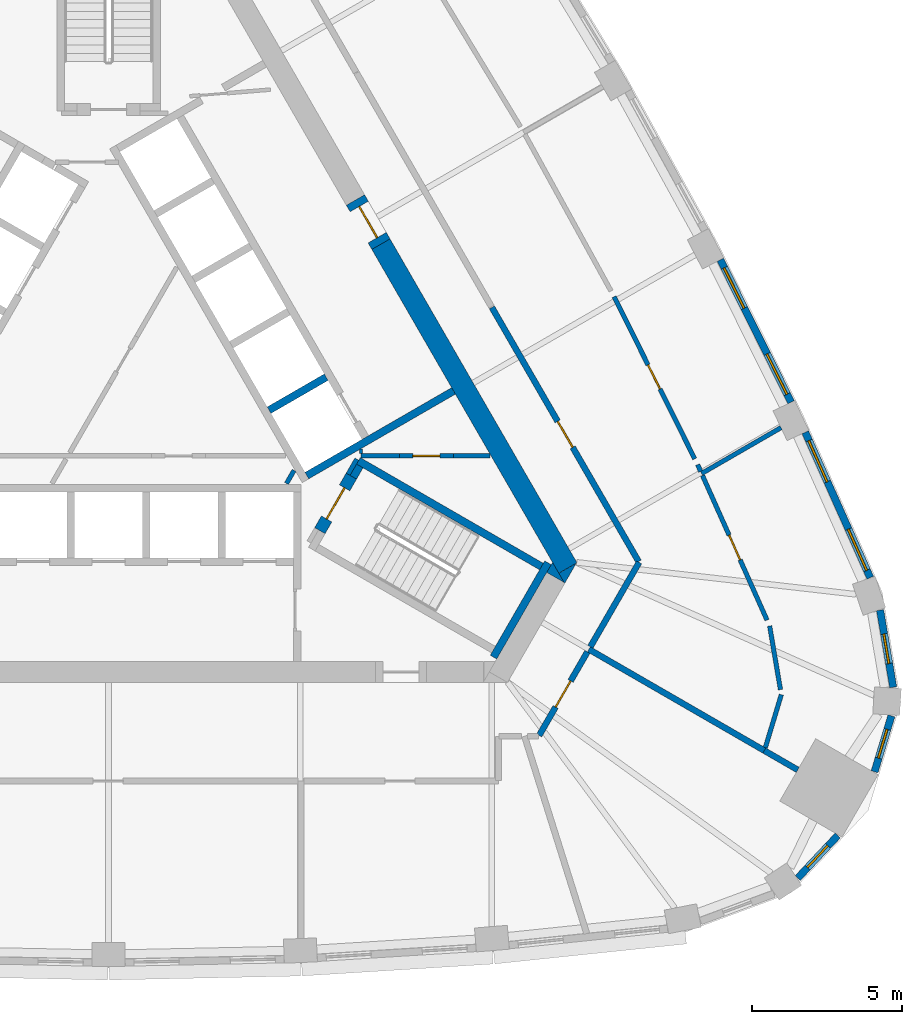
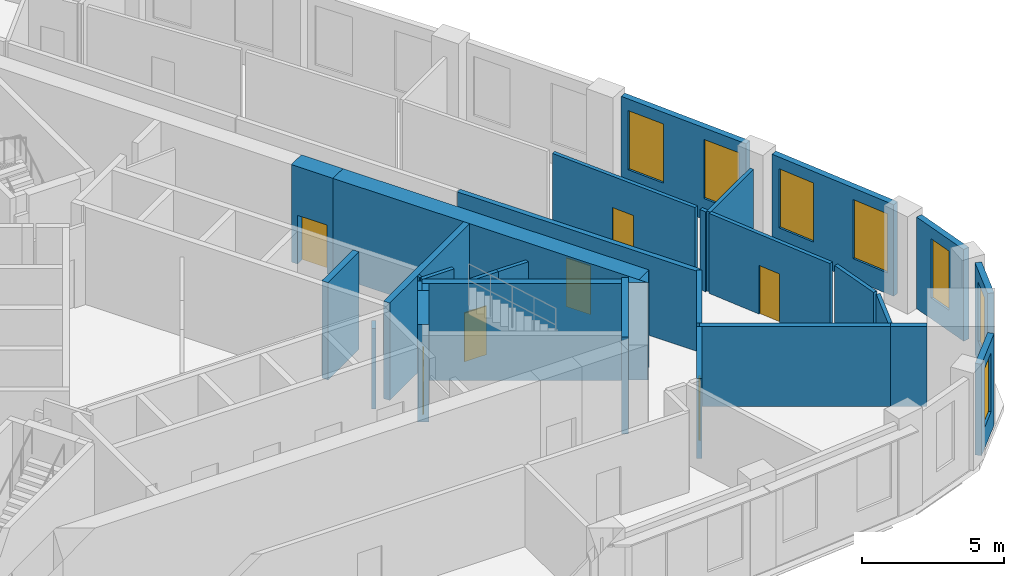
# One storey, part 7 of 11: 32 walls, 7 doors, 7 windows, 14 openings.
"""IFC4 building model written with IfcOpenShell, lengths in metres."""

from ifc_helpers import new_model, si_unit, direction, frame, frame_2d, origin, place, context, subcontext, project, spatial, polyline, rectangle, outline, extrude, material, layer, layer_set, type_object, element, fill, save


model = new_model("IFC4")

# Units and contexts
model_context = context("Model", 3, precision=1e-05, world=origin(), true_north=direction((0.0, 1.0)))
body_context = subcontext(model_context, "Body", "Model", "MODEL_VIEW")
ifc_project = project(units=[si_unit("LENGTHUNIT", "METRE"), si_unit("AREAUNIT", "SQUARE_METRE"), si_unit("VOLUMEUNIT", "CUBIC_METRE"), si_unit("PLANEANGLEUNIT", "RADIAN"), si_unit("MASSUNIT", "GRAM", prefix="KILO")], contexts=[model_context])

# Site, building, storey
site_placement = place(None, origin())
site = spatial("IfcSite", under=ifc_project, at=site_placement, CompositionType="ELEMENT")
building_placement = place(site_placement, origin())
building = spatial("IfcBuilding", under=site, at=building_placement, Name="Mestral Congress Tower", CompositionType="ELEMENT")
storey_placement = place(building_placement, frame((0.0, 0.0, 205.800048828125)))
storey = spatial("IfcBuildingStorey", under=building, at=storey_placement, Name="L48", CompositionType="ELEMENT", Elevation=205.800048828125)

# Walls
ifc_material_1 = material(Name="Fire-rated board partition")
ifc_layer_1 = layer(ifc_material_1, 0.14990234375)
ifc_layer_set_1 = layer_set([ifc_layer_1], Name="Fire-rated board partition")
wall_type_1 = type_object("IfcWallType", Name="Core partition 150", PredefinedType="PARTITIONING", material=ifc_layer_set_1)
wall_1_placement = place(storey_placement, frame((11.50048828125, -2.800537109375, 0.0), z_axis=(0.0, 0.0, 1.0), x_axis=(1.0, 0.0, 0.0)))
element("IfcWall", 1, at=wall_1_placement, inside=storey, type_object=wall_type_1, Name="L48 core wall", PredefinedType="PARTITIONING", context=body_context, shape_type="SweptSolid", body=[
    extrude(rectangle(XDim=1.22216796875, YDim=0.14990234375, at=frame_2d((0.611083984375, 0.0))), origin(), (0.0, 0.0, 1.0), 3.449951171875),
])
wall_2_placement = place(storey_placement, frame((5.935791015625, -3.718017578125, 0.0), z_axis=(0.0, 0.0, 1.0), x_axis=(0.499890179513, 0.866088799389, 0.0)))
element("IfcWall", 2, at=wall_2_placement, inside=storey, type_object=wall_type_1, Name="L48 core wall", PredefinedType="PARTITIONING", context=body_context, shape_type="SweptSolid", body=[
    extrude(rectangle(XDim=0.50390625, YDim=0.14990234375, at=frame_2d((0.251953125, 0.0))), origin(), (0.0, 0.0, 1.0), 3.449951171875),
])

# Wall, opening, door
wall_3_placement = place(storey_placement, frame((9.7001953125, -2.800048828125, 0.0), z_axis=(0.0, 0.0, 1.0), x_axis=(1.0, 0.0, 0.0)))
wall_3 = element("IfcWall", 3, at=wall_3_placement, inside=storey, type_object=wall_type_1, Name="L48 door wall", PredefinedType="PARTITIONING", context=body_context, shape_type="SweptSolid", body=[
    extrude(rectangle(XDim=1.800048828125, YDim=0.14990234375, at=frame_2d((0.89990234375, 0.0))), origin(), (0.0, 0.0, 1.0), 3.449951171875),
])
opening_1_placement = place(wall_3_placement, frame((0.449951171875, 0.0, 0.0)))
opening_1 = element("IfcOpeningElement", 4, at=opening_1_placement, cuts=wall_3, Name="Opening SD-PX10", PredefinedType="OPENING", context=body_context, shape_type="SweptSolid", body=[
    extrude(rectangle(XDim=0.89990234375, YDim=2.10009765625, at=frame_2d((0.449951171875, 1.050048828125))), frame((0.0, 0.0849609375, 0.0), z_axis=(0.0, -1.0, 0.0), x_axis=(1.0, 0.0, 0.0)), (0.0, 0.0, 1.0), 0.169921875),
])
ifc_material_2 = material(Name="Fire-rated steel door set", Category="steel")
door_type_1 = type_object("IfcDoorType", Name="Core door SR 900x2100", OperationType="SINGLE_SWING_LEFT", PredefinedType="DOOR", material=ifc_material_2)
door_1_placement = place(opening_1_placement, origin())
door_1 = element("IfcDoor", 5, at=door_1_placement, inside=storey, type_object=door_type_1, Name="Door SD-PX10", OperationType="SINGLE_SWING_LEFT", OverallHeight=2.10009765625, OverallWidth=0.89990234375, PredefinedType="DOOR", context=body_context, shape_type="SweptSolid", body=[
    extrude(rectangle(XDim=0.89990234375, YDim=2.10009765625, at=frame_2d((0.449951171875, 1.050048828125))), frame((0.0, 0.02490234375, 0.0), z_axis=(0.0, -1.0, 0.0), x_axis=(1.0, 0.0, 0.0)), (0.0, 0.0, 1.0), 0.050048828125),
])
fill(opening_1, door_1)

# Walls
ifc_material_3 = material(Name="Concrete C60/75", Category="concrete")
ifc_layer_2 = layer(ifc_material_3, 0.699951171875)
ifc_layer_set_2 = layer_set([ifc_layer_2], Name="Concrete C60/75")
wall_type_2 = type_object("IfcWallType", Name="Core wall RC 700", PredefinedType="SOLIDWALL", material=ifc_layer_set_2)
wall_4_placement = place(storey_placement, frame((9.085205078125, 4.263916015625, 0.0), z_axis=(0.0, 0.0, 1.0), x_axis=(0.499998082512, -0.866026510844, 0.0)))
element("IfcWall", 6, at=wall_4_placement, inside=storey, type_object=wall_type_2, Name="L48 core wall", PredefinedType="SOLIDWALL", context=body_context, shape_type="SweptSolid", body=[
    extrude(rectangle(XDim=12.47216796875, YDim=0.699951171875, at=frame_2d((6.236083984375, 0.0))), origin(), (0.0, 0.0, 1.0), 4.199951171875),
])
placement = place(storey_placement, origin())
element("IfcWall", 7, at=placement, inside=storey, type_object=wall_type_2, Name="L48 core wall", PredefinedType="SOLIDWALL", context=body_context, shape_type="SweptSolid", body=[
    extrude(outline(polyline([(15.213134765625, -7.050048828125), (15.019287109375, -6.714111328125), (15.60107421875, -6.3779296875), (15.213134765625, -7.050048828125)])), origin(), (0.0, 0.0, 1.0), 4.199951171875),
])
element("IfcWall", 8, at=placement, inside=storey, type_object=wall_type_2, Name="L48 core wall", PredefinedType="SOLIDWALL", context=body_context, shape_type="SweptSolid", body=[
    extrude(outline(polyline([(14.80908203125, -6.35009765625), (15.197265625, -7.022216796875), (14.614990234375, -6.68603515625), (14.80908203125, -6.35009765625)])), origin(), (0.0, 0.0, 1.0), 4.199951171875),
])

# Wall, opening, door
wall_7_placement = place(storey_placement, frame((8.2353515625, 5.736083984375, 0.0), z_axis=(0.0, 0.0, 1.0), x_axis=(0.499954529098, -0.86605165483, 0.0)))
wall_7 = element("IfcWall", 9, at=wall_7_placement, inside=storey, type_object=wall_type_2, Name="L48 door wall", PredefinedType="SOLIDWALL", context=body_context, shape_type="SweptSolid", body=[
    extrude(rectangle(XDim=1.699951171875, YDim=0.699951171875, at=frame_2d((0.85009765625, 0.0))), origin(), (0.0, 0.0, 1.0), 4.199951171875),
])
opening_2_placement = place(wall_7_placement, frame((0.25, 0.0, 0.0)))
opening_2 = element("IfcOpeningElement", 10, at=opening_2_placement, cuts=wall_7, Name="Opening XDL", PredefinedType="OPENING", context=body_context, shape_type="SweptSolid", body=[
    extrude(rectangle(XDim=1.199951171875, YDim=2.10009765625, at=frame_2d((0.60009765625, 1.050048828125))), frame((0.0, 0.35986328125, 0.0), z_axis=(0.0, -1.0, 0.0), x_axis=(1.0, 0.0, 0.0)), (0.0, 0.0, 1.0), 0.719970703125),
])
door_type_2 = type_object("IfcDoorType", Name="Core door XD 1200x2100", OperationType="SINGLE_SWING_LEFT", PredefinedType="DOOR", material=ifc_material_2)
door_2_placement = place(opening_2_placement, origin())
door_2 = element("IfcDoor", 11, at=door_2_placement, inside=storey, type_object=door_type_2, Name="Door XDL", OperationType="SINGLE_SWING_LEFT", OverallHeight=2.10009765625, OverallWidth=1.199951171875, PredefinedType="DOOR", context=body_context, shape_type="SweptSolid", body=[
    extrude(rectangle(XDim=1.199951171875, YDim=2.10009765625, at=frame_2d((0.60009765625, 1.050048828125))), frame((0.0, 0.02490234375, 0.0), z_axis=(0.0, -1.0, 0.0), x_axis=(1.0, 0.0, 0.0)), (0.0, 0.0, 1.0), 0.050048828125),
])
fill(opening_2, door_2)

# Wall, opening, window
ifc_material_4 = material(Name="Precast concrete C40/50 with limestone facing", Category="masonry")
ifc_layer_3 = layer(ifc_material_4, 0.239990234375)
ifc_layer_set_3 = layer_set([ifc_layer_3], Name="Precast concrete C40/50 with limestone facing")
wall_type_3 = type_object("IfcWallType", Name="Facade stone wall 240", PredefinedType="SOLIDWALL", material=ifc_layer_set_3)
wall_8_placement = place(storey_placement, frame((22.989013671875, -16.87890625, 0.0), z_axis=(0.0, 0.0, 1.0), x_axis=(0.684770274166, 0.728758994194, 0.0)))
wall_8 = element("IfcWall", 12, at=wall_8_placement, inside=storey, type_object=wall_type_3, Name="Facade wall K0-1", PredefinedType="SOLIDWALL", context=body_context, shape_type="SweptSolid", body=[
    extrude(rectangle(XDim=1.947998046875, YDim=0.239990234375, at=frame_2d((0.97412109375, 0.0))), origin(), (0.0, 0.0, 1.0), 3.949951171875),
])
opening_3_placement = place(wall_8_placement, frame((0.47412109375, 0.0, 0.89990234375)))
opening_3 = element("IfcOpeningElement", 13, at=opening_3_placement, cuts=wall_8, Name="Opening W5", PredefinedType="OPENING", context=body_context, shape_type="SweptSolid", body=[
    extrude(rectangle(XDim=1.0, YDim=2.550048828125, at=frame_2d((0.5, 1.27490234375))), frame((0.0, 0.1298828125, 0.0), z_axis=(0.0, -1.0, 0.0), x_axis=(1.0, 0.0, 0.0)), (0.0, 0.0, 1.0), 0.260009765625),
])
ifc_material_5 = material(Name="Clear low-emissivity double glazing", Category="glass")
window_type_1 = type_object("IfcWindowType", Name="Facade punched window 1000 x 2550 sill 900", PartitioningType="SINGLE_PANEL", PredefinedType="WINDOW", material=ifc_material_5)
window_1_placement = place(opening_3_placement, origin())
window_1 = element("IfcWindow", 14, at=window_1_placement, inside=storey, type_object=window_type_1, Name="Window K0-1", OverallHeight=2.550048828125, OverallWidth=1.0, PartitioningType="SINGLE_PANEL", PredefinedType="WINDOW", context=body_context, shape_type="SweptSolid", body=[
    extrude(rectangle(XDim=1.0, YDim=2.550048828125, at=frame_2d((0.5, 1.27490234375))), frame((0.0, 0.0400390625, 0.0), z_axis=(0.0, -1.0, 0.0), x_axis=(1.0, 0.0, 0.0)), (0.0, 0.0, 1.0), 0.06005859375),
])
fill(opening_3, window_1)

wall_9_placement = place(storey_placement, frame((25.5498046875, -13.334716796875, 0.0), z_axis=(0.0, 0.0, 1.0), x_axis=(0.288727209095, 0.957411405159, 0.0)))
wall_9 = element("IfcWall", 15, at=wall_9_placement, inside=storey, type_object=wall_type_3, Name="Facade wall K0-2", PredefinedType="SOLIDWALL", context=body_context, shape_type="SweptSolid", body=[
    extrude(rectangle(XDim=1.9482421875, YDim=0.239990234375, at=frame_2d((0.97412109375, 0.0))), origin(), (0.0, 0.0, 1.0), 3.949951171875),
])
opening_4_placement = place(wall_9_placement, frame((0.47412109375, 0.0, 0.89990234375)))
opening_4 = element("IfcOpeningElement", 16, at=opening_4_placement, cuts=wall_9, Name="Opening W5", PredefinedType="OPENING", context=body_context, shape_type="SweptSolid", body=[
    extrude(rectangle(XDim=1.0, YDim=2.550048828125, at=frame_2d((0.5, 1.27490234375))), frame((0.0, 0.1298828125, 0.0), z_axis=(0.0, -1.0, 0.0), x_axis=(1.0, 0.0, 0.0)), (0.0, 0.0, 1.0), 0.260009765625),
])
window_2_placement = place(opening_4_placement, origin())
window_2 = element("IfcWindow", 17, at=window_2_placement, inside=storey, type_object=window_type_1, Name="Window K0-2", OverallHeight=2.550048828125, OverallWidth=1.0, PartitioningType="SINGLE_PANEL", PredefinedType="WINDOW", context=body_context, shape_type="SweptSolid", body=[
    extrude(rectangle(XDim=1.0, YDim=2.550048828125, at=frame_2d((0.5, 1.27490234375))), frame((0.0, 0.0400390625, 0.0), z_axis=(0.0, -1.0, 0.0), x_axis=(1.0, 0.0, 0.0)), (0.0, 0.0, 1.0), 0.06005859375),
])
fill(opening_4, window_2)

wall_10_placement = place(storey_placement, frame((26.171630859375, -10.517333984375, 0.0), z_axis=(0.0, 0.0, 1.0), x_axis=(-0.167660055546, 0.985844869021, 0.0)))
wall_10 = element("IfcWall", 18, at=wall_10_placement, inside=storey, type_object=wall_type_3, Name="Facade wall K0-3", PredefinedType="SOLIDWALL", context=body_context, shape_type="SweptSolid", body=[
    extrude(rectangle(XDim=2.609375, YDim=0.239990234375, at=frame_2d((1.3046875, 0.0))), origin(), (0.0, 0.0, 1.0), 3.949951171875),
])
opening_5_placement = place(wall_10_placement, frame((0.8046875, 0.0, 0.89990234375)))
opening_5 = element("IfcOpeningElement", 19, at=opening_5_placement, cuts=wall_10, Name="Opening W5", PredefinedType="OPENING", context=body_context, shape_type="SweptSolid", body=[
    extrude(rectangle(XDim=1.0, YDim=2.550048828125, at=frame_2d((0.5, 1.27490234375))), frame((0.0, 0.1298828125, 0.0), z_axis=(0.0, -1.0, 0.0), x_axis=(1.0, 0.0, 0.0)), (0.0, 0.0, 1.0), 0.260009765625),
])
window_3_placement = place(opening_5_placement, origin())
window_3 = element("IfcWindow", 20, at=window_3_placement, inside=storey, type_object=window_type_1, Name="Window K0-3", OverallHeight=2.550048828125, OverallWidth=1.0, PartitioningType="SINGLE_PANEL", PredefinedType="WINDOW", context=body_context, shape_type="SweptSolid", body=[
    extrude(rectangle(XDim=1.0, YDim=2.550048828125, at=frame_2d((0.5, 1.27490234375))), frame((0.0, 0.0400390625, 0.0), z_axis=(0.0, -1.0, 0.0), x_axis=(1.0, 0.0, 0.0)), (0.0, 0.0, 1.0), 0.06005859375),
])
fill(opening_5, window_3)

# Wall, openings, windows
wall_11_placement = place(storey_placement, frame((25.405029296875, -6.86083984375, 0.0), z_axis=(0.0, 0.0, 1.0), x_axis=(-0.407579651789, 0.913169659728, 0.0)))
wall_11 = element("IfcWall", 21, at=wall_11_placement, inside=storey, type_object=wall_type_3, Name="Facade wall F1-00", PredefinedType="SOLIDWALL", context=body_context, shape_type="SweptSolid", body=[
    extrude(rectangle(XDim=5.310791015625, YDim=0.239990234375, at=frame_2d((2.6552734375, 0.0))), origin(), (0.0, 0.0, 1.0), 3.949951171875),
])
opening_6_placement = place(wall_11_placement, frame((0.271484375, 0.0, 0.89990234375)))
opening_6 = element("IfcOpeningElement", 22, at=opening_6_placement, cuts=wall_11, Name="Opening W4", PredefinedType="OPENING", context=body_context, shape_type="SweptSolid", body=[
    extrude(rectangle(XDim=1.5, YDim=2.550048828125, at=frame_2d((0.75, 1.27490234375))), frame((0.0, 0.1298828125, 0.0), z_axis=(0.0, -1.0, 0.0), x_axis=(1.0, 0.0, 0.0)), (0.0, 0.0, 1.0), 0.260009765625),
])
opening_7_placement = place(wall_11_placement, frame((3.50439453125, 0.0, 0.89990234375)))
opening_7 = element("IfcOpeningElement", 23, at=opening_7_placement, cuts=wall_11, Name="Opening W4", PredefinedType="OPENING", context=body_context, shape_type="SweptSolid", body=[
    extrude(rectangle(XDim=1.5, YDim=2.550048828125, at=frame_2d((0.75, 1.27490234375))), frame((0.0, 0.1298828125, 0.0), z_axis=(0.0, -1.0, 0.0), x_axis=(1.0, 0.0, 0.0)), (0.0, 0.0, 1.0), 0.260009765625),
])
window_type_2 = type_object("IfcWindowType", Name="Facade punched window 1500 x 2550 sill 900", PartitioningType="SINGLE_PANEL", PredefinedType="WINDOW", material=ifc_material_5)
window_4_placement = place(opening_6_placement, origin())
window_4 = element("IfcWindow", 24, at=window_4_placement, inside=storey, type_object=window_type_2, Name="Window F1-00a", OverallHeight=2.550048828125, OverallWidth=1.5, PartitioningType="SINGLE_PANEL", PredefinedType="WINDOW", context=body_context, shape_type="SweptSolid", body=[
    extrude(rectangle(XDim=1.5, YDim=2.550048828125, at=frame_2d((0.75, 1.27490234375))), frame((0.0, 0.0400390625, 0.0), z_axis=(0.0, -1.0, 0.0), x_axis=(1.0, 0.0, 0.0)), (0.0, 0.0, 1.0), 0.06005859375),
])
fill(opening_6, window_4)
window_5_placement = place(opening_7_placement, origin())
window_5 = element("IfcWindow", 25, at=window_5_placement, inside=storey, type_object=window_type_2, Name="Window F1-00b", OverallHeight=2.550048828125, OverallWidth=1.5, PartitioningType="SINGLE_PANEL", PredefinedType="WINDOW", context=body_context, shape_type="SweptSolid", body=[
    extrude(rectangle(XDim=1.5, YDim=2.550048828125, at=frame_2d((0.75, 1.27490234375))), frame((0.0, 0.0400390625, 0.0), z_axis=(0.0, -1.0, 0.0), x_axis=(1.0, 0.0, 0.0)), (0.0, 0.0, 1.0), 0.06005859375),
])
fill(opening_7, window_5)

wall_12_placement = place(storey_placement, frame((22.765869140625, -1.0048828125, 0.0), z_axis=(0.0, 0.0, 1.0), x_axis=(-0.445129582031, 0.895466166419, 0.0)))
wall_12 = element("IfcWall", 26, at=wall_12_placement, inside=storey, type_object=wall_type_3, Name="Facade wall F1-01", PredefinedType="SOLIDWALL", context=body_context, shape_type="SweptSolid", body=[
    extrude(rectangle(XDim=5.29833984375, YDim=0.239990234375, at=frame_2d((2.649169921875, 0.0))), origin(), (0.0, 0.0, 1.0), 3.949951171875),
])
opening_8_placement = place(wall_12_placement, frame((0.294677734375, 0.0, 0.89990234375)))
opening_8 = element("IfcOpeningElement", 27, at=opening_8_placement, cuts=wall_12, Name="Opening W4", PredefinedType="OPENING", context=body_context, shape_type="SweptSolid", body=[
    extrude(rectangle(XDim=1.5, YDim=2.550048828125, at=frame_2d((0.75, 1.27490234375))), frame((0.0, 0.1298828125, 0.0), z_axis=(0.0, -1.0, 0.0), x_axis=(1.0, 0.0, 0.0)), (0.0, 0.0, 1.0), 0.260009765625),
])
opening_9_placement = place(wall_12_placement, frame((3.503662109375, 0.0, 0.89990234375)))
opening_9 = element("IfcOpeningElement", 28, at=opening_9_placement, cuts=wall_12, Name="Opening W4", PredefinedType="OPENING", context=body_context, shape_type="SweptSolid", body=[
    extrude(rectangle(XDim=1.5, YDim=2.550048828125, at=frame_2d((0.75, 1.27490234375))), frame((0.0, 0.1298828125, 0.0), z_axis=(0.0, -1.0, 0.0), x_axis=(1.0, 0.0, 0.0)), (0.0, 0.0, 1.0), 0.260009765625),
])
window_6_placement = place(opening_8_placement, origin())
window_6 = element("IfcWindow", 29, at=window_6_placement, inside=storey, type_object=window_type_2, Name="Window F1-01a", OverallHeight=2.550048828125, OverallWidth=1.5, PartitioningType="SINGLE_PANEL", PredefinedType="WINDOW", context=body_context, shape_type="SweptSolid", body=[
    extrude(rectangle(XDim=1.5, YDim=2.550048828125, at=frame_2d((0.75, 1.27490234375))), frame((0.0, 0.0400390625, 0.0), z_axis=(0.0, -1.0, 0.0), x_axis=(1.0, 0.0, 0.0)), (0.0, 0.0, 1.0), 0.06005859375),
])
fill(opening_8, window_6)
window_7_placement = place(opening_9_placement, origin())
window_7 = element("IfcWindow", 30, at=window_7_placement, inside=storey, type_object=window_type_2, Name="Window F1-01b", OverallHeight=2.550048828125, OverallWidth=1.5, PartitioningType="SINGLE_PANEL", PredefinedType="WINDOW", context=body_context, shape_type="SweptSolid", body=[
    extrude(rectangle(XDim=1.5, YDim=2.550048828125, at=frame_2d((0.75, 1.27490234375))), frame((0.0, 0.0400390625, 0.0), z_axis=(0.0, -1.0, 0.0), x_axis=(1.0, 0.0, 0.0)), (0.0, 0.0, 1.0), 0.06005859375),
])
fill(opening_9, window_7)

# Walls
ifc_material_6 = material(Name="Plasterboard partition on steel studs", Category="steel")
ifc_layer_4 = layer(ifc_material_6, 0.14990234375)
ifc_layer_set_4 = layer_set([ifc_layer_4], Name="Plasterboard partition on steel studs")
wall_type_4 = type_object("IfcWallType", Name="Office partition 150", PredefinedType="PARTITIONING", material=ifc_layer_set_4)
wall_13_placement = place(storey_placement, frame((19.7802734375, -3.385986328125, 0.0), z_axis=(0.0, 0.0, 1.0), x_axis=(0.866063280451, 0.49993438995, 0.0)))
element("IfcWall", 31, at=wall_13_placement, inside=storey, type_object=wall_type_4, Name="Partition", PredefinedType="PARTITIONING", context=body_context, shape_type="SweptSolid", body=[
    extrude(rectangle(XDim=3.05810546875, YDim=0.14990234375, at=frame_2d((1.529052734375, 0.0))), origin(), (0.0, 0.0, 1.0), 3.449951171875),
])
wall_14_placement = place(storey_placement, frame((21.90625, -12.531982421875, 0.0), z_axis=(0.0, 0.0, 1.0), x_axis=(0.288789848591, 0.957392512688, 0.0)))
element("IfcWall", 32, at=wall_14_placement, inside=storey, type_object=wall_type_4, Name="Partition", PredefinedType="PARTITIONING", context=body_context, shape_type="SweptSolid", body=[
    extrude(rectangle(XDim=1.84814453125, YDim=0.14990234375, at=frame_2d((0.924072265625, 0.0))), origin(), (0.0, 0.0, 1.0), 3.449951171875),
])
wall_15_placement = place(storey_placement, frame((22.41162109375, -10.5966796875, 0.0), z_axis=(0.0, 0.0, 1.0), x_axis=(-0.167612004459, 0.985853039738, 0.0)))
element("IfcWall", 33, at=wall_15_placement, inside=storey, type_object=wall_type_4, Name="Partition", PredefinedType="PARTITIONING", context=body_context, shape_type="SweptSolid", body=[
    extrude(rectangle(XDim=2.15576171875, YDim=0.14990234375, at=frame_2d((1.077880859375, 0.0))), origin(), (0.0, 0.0, 1.0), 3.449951171875),
])

# Wall, opening, door
wall_16_placement = place(storey_placement, frame((19.81103515625, -3.455078125, 0.0), z_axis=(0.0, 0.0, 1.0), x_axis=(0.407605393886, -0.913158169692, 0.0)))
wall_16 = element("IfcWall", 34, at=wall_16_placement, inside=storey, type_object=wall_type_4, Name="Partition", PredefinedType="PARTITIONING", context=body_context, shape_type="SweptSolid", body=[
    extrude(rectangle(XDim=5.279296875, YDim=0.14990234375, at=frame_2d((2.6396484375, 0.0))), origin(), (0.0, 0.0, 1.0), 3.449951171875),
])
opening_10_placement = place(wall_16_placement, frame((2.179443359375, 0.0, 0.0)))
opening_10 = element("IfcOpeningElement", 35, at=opening_10_placement, cuts=wall_16, Name="Opening O06-005", PredefinedType="OPENING", context=body_context, shape_type="SweptSolid", body=[
    extrude(rectangle(XDim=0.89990234375, YDim=2.10009765625, at=frame_2d((0.449951171875, 1.050048828125))), frame((0.0, 0.0849609375, 0.0), z_axis=(0.0, -1.0, 0.0), x_axis=(1.0, 0.0, 0.0)), (0.0, 0.0, 1.0), 0.169921875),
])
ifc_material_7 = material(Name="Timber door set", Category="wood")
door_type_3 = type_object("IfcDoorType", Name="Office door 900x2100", OperationType="SINGLE_SWING_LEFT", PredefinedType="DOOR", material=ifc_material_7)
door_3_placement = place(opening_10_placement, origin())
door_3 = element("IfcDoor", 36, at=door_3_placement, inside=storey, type_object=door_type_3, Name="Door O06-005", OperationType="SINGLE_SWING_LEFT", OverallHeight=2.10009765625, OverallWidth=0.89990234375, PredefinedType="DOOR", context=body_context, shape_type="SweptSolid", body=[
    extrude(rectangle(XDim=0.89990234375, YDim=2.10009765625, at=frame_2d((0.449951171875, 1.050048828125))), frame((0.0, 0.02490234375, 0.0), z_axis=(0.0, -1.0, 0.0), x_axis=(1.0, 0.0, 0.0)), (0.0, 0.0, 1.0), 0.050048828125),
])
fill(opening_10, door_3)

# Wall
wall_17_placement = place(storey_placement, frame((19.74951171875, -3.3173828125, 0.0), z_axis=(0.0, 0.0, 1.0), x_axis=(-0.406774979688, 0.913528388119, 0.0)))
element("IfcWall", 37, at=wall_17_placement, inside=storey, type_object=wall_type_4, Name="Partition", PredefinedType="PARTITIONING", context=body_context, shape_type="SweptSolid", body=[
    extrude(rectangle(XDim=0.2490234375, YDim=0.14990234375, at=frame_2d((0.12451171875, 0.0))), origin(), (0.0, 0.0, 1.0), 3.449951171875),
])

# Wall, opening, door
wall_18_placement = place(storey_placement, frame((16.86279296875, 2.5126953125, 0.0), z_axis=(0.0, 0.0, 1.0), x_axis=(0.445159947046, -0.895451071553, 0.0)))
wall_18 = element("IfcWall", 38, at=wall_18_placement, inside=storey, type_object=wall_type_4, Name="Partition", PredefinedType="PARTITIONING", context=body_context, shape_type="SweptSolid", body=[
    extrude(rectangle(XDim=6.042724609375, YDim=0.14990234375, at=frame_2d((3.021484375, 0.0))), origin(), (0.0, 0.0, 1.0), 3.449951171875),
])
opening_11_placement = place(wall_18_placement, frame((2.54248046875, 0.0, 0.0)))
opening_11 = element("IfcOpeningElement", 39, at=opening_11_placement, cuts=wall_18, Name="Opening O06-006", PredefinedType="OPENING", context=body_context, shape_type="SweptSolid", body=[
    extrude(rectangle(XDim=0.89990234375, YDim=2.10009765625, at=frame_2d((0.449951171875, 1.050048828125))), frame((0.0, 0.0849609375, 0.0), z_axis=(0.0, -1.0, 0.0), x_axis=(1.0, 0.0, 0.0)), (0.0, 0.0, 1.0), 0.169921875),
])
door_4_placement = place(opening_11_placement, origin())
door_4 = element("IfcDoor", 40, at=door_4_placement, inside=storey, type_object=door_type_3, Name="Door O06-006", OperationType="SINGLE_SWING_LEFT", OverallHeight=2.10009765625, OverallWidth=0.89990234375, PredefinedType="DOOR", context=body_context, shape_type="SweptSolid", body=[
    extrude(rectangle(XDim=0.89990234375, YDim=2.10009765625, at=frame_2d((0.449951171875, 1.050048828125))), frame((0.0, 0.02490234375, 0.0), z_axis=(0.0, -1.0, 0.0), x_axis=(1.0, 0.0, 0.0)), (0.0, 0.0, 1.0), 0.050048828125),
])
fill(opening_11, door_4)

# Walls
ifc_material_8 = material(Name="Dense masonry wall, plastered", Category="masonry")
ifc_layer_5 = layer(ifc_material_8, 0.199951171875)
ifc_layer_set_5 = layer_set([ifc_layer_5], Name="Dense masonry wall, plastered")
wall_type_5 = type_object("IfcWallType", Name="Office tenancy wall 200", PredefinedType="PARTITIONING", material=ifc_layer_set_5)
wall_19_placement = place(storey_placement, frame((21.873046875, -12.62841796875, 0.0), z_axis=(0.0, 0.0, 1.0), x_axis=(0.866052988967, -0.499952218018, 0.0)))
element("IfcWall", 41, at=wall_19_placement, inside=storey, type_object=wall_type_5, Name="Tenancy wall", PredefinedType="PARTITIONING", context=body_context, shape_type="SweptSolid", body=[
    extrude(rectangle(XDim=1.287841796875, YDim=0.199951171875, at=frame_2d((0.64404296875, 0.0))), origin(), (0.0, 0.0, 1.0), 3.449951171875),
])
wall_20_placement = place(storey_placement, frame((16.021484375, -9.25, 0.0), z_axis=(0.0, 0.0, 1.0), x_axis=(0.86602692059, -0.499997372806, 0.0)))
element("IfcWall", 42, at=wall_20_placement, inside=storey, type_object=wall_type_5, Name="Tenancy wall", PredefinedType="PARTITIONING", context=body_context, shape_type="SweptSolid", body=[
    extrude(rectangle(XDim=6.7646484375, YDim=0.199951171875, at=frame_2d((3.38232421875, 0.0))), origin(), (0.0, 0.0, 1.0), 3.449951171875),
])

# Wall, opening, door
wall_21_placement = place(storey_placement, frame((14.362060546875, -12.1240234375, 0.0), z_axis=(0.0, 0.0, 1.0), x_axis=(0.500022299258, 0.866012528919, 0.0)))
wall_21 = element("IfcWall", 43, at=wall_21_placement, inside=storey, type_object=wall_type_5, Name="Tenancy wall", PredefinedType="PARTITIONING", context=body_context, shape_type="SweptSolid", body=[
    extrude(rectangle(XDim=3.218505859375, YDim=0.199951171875, at=frame_2d((1.609375, 0.0))), origin(), (0.0, 0.0, 1.0), 3.449951171875),
])
opening_12_placement = place(wall_21_placement, frame((1.10009765625, 0.0, 0.0)))
opening_12 = element("IfcOpeningElement", 44, at=opening_12_placement, cuts=wall_21, Name="Opening O06-004", PredefinedType="OPENING", context=body_context, shape_type="SweptSolid", body=[
    extrude(rectangle(XDim=1.0, YDim=2.10009765625, at=frame_2d((0.5, 1.050048828125))), frame((0.0, 0.10986328125, 0.0), z_axis=(0.0, -1.0, 0.0), x_axis=(1.0, 0.0, 0.0)), (0.0, 0.0, 1.0), 0.219970703125),
])
ifc_material_9 = material(Name="Fire-rated timber door set", Category="wood")
door_type_4 = type_object("IfcDoorType", Name="Office tenancy entrance door 1000x2100", OperationType="SINGLE_SWING_LEFT", PredefinedType="DOOR", material=ifc_material_9)
door_5_placement = place(opening_12_placement, origin())
door_5 = element("IfcDoor", 45, at=door_5_placement, inside=storey, type_object=door_type_4, Name="Door O06-004", OperationType="SINGLE_SWING_LEFT", OverallHeight=2.10009765625, OverallWidth=1.0, PredefinedType="DOOR", context=body_context, shape_type="SweptSolid", body=[
    extrude(rectangle(XDim=1.0, YDim=2.10009765625, at=frame_2d((0.5, 1.050048828125))), frame((0.0, 0.02490234375, 0.0), z_axis=(0.0, -1.0, 0.0), x_axis=(1.0, 0.0, 0.0)), (0.0, 0.0, 1.0), 0.050048828125),
])
fill(opening_12, door_5)

# Wall
wall_22_placement = place(storey_placement, frame((16.071533203125, -9.163330078125, 0.0), z_axis=(0.0, 0.0, 1.0), x_axis=(0.500010870188, 0.866019127788, 0.0)))
element("IfcWall", 46, at=wall_22_placement, inside=storey, type_object=wall_type_5, Name="Tenancy wall", PredefinedType="PARTITIONING", context=body_context, shape_type="SweptSolid", body=[
    extrude(rectangle(XDim=3.24853515625, YDim=0.199951171875, at=frame_2d((1.624267578125, 0.0))), origin(), (0.0, 0.0, 1.0), 3.449951171875),
])

# Wall, opening, door
wall_23_placement = place(storey_placement, frame((17.680908203125, -6.323974609375, 0.0), z_axis=(0.0, 0.0, 1.0), x_axis=(-0.500021153861, 0.866013190252, 0.0)))
wall_23 = element("IfcWall", 47, at=wall_23_placement, inside=storey, type_object=wall_type_5, Name="Tenancy wall", PredefinedType="PARTITIONING", context=body_context, shape_type="SweptSolid", body=[
    extrude(rectangle(XDim=9.787109375, YDim=0.199951171875, at=frame_2d((4.8935546875, 0.0))), origin(), (0.0, 0.0, 1.0), 3.449951171875),
])
opening_13_placement = place(wall_23_placement, frame((4.39990234375, 0.0, 0.0)))
opening_13 = element("IfcOpeningElement", 48, at=opening_13_placement, cuts=wall_23, Name="Opening O06-009", PredefinedType="OPENING", context=body_context, shape_type="SweptSolid", body=[
    extrude(rectangle(XDim=1.0, YDim=2.10009765625, at=frame_2d((0.5, 1.050048828125))), frame((0.0, 0.10986328125, 0.0), z_axis=(0.0, -1.0, 0.0), x_axis=(1.0, 0.0, 0.0)), (0.0, 0.0, 1.0), 0.219970703125),
])
door_6_placement = place(opening_13_placement, origin())
door_6 = element("IfcDoor", 49, at=door_6_placement, inside=storey, type_object=door_type_4, Name="Door O06-009", OperationType="SINGLE_SWING_RIGHT", OverallHeight=2.10009765625, OverallWidth=1.0, PredefinedType="DOOR", context=body_context, shape_type="SweptSolid", body=[
    extrude(rectangle(XDim=1.0, YDim=2.10009765625, at=frame_2d((0.5, 1.050048828125))), frame((0.0, 0.02490234375, 0.0), z_axis=(0.0, -1.0, 0.0), x_axis=(1.0, 0.0, 0.0)), (0.0, 0.0, 1.0), 0.050048828125),
])
fill(opening_13, door_6)

# Walls
ifc_layer_6 = layer(ifc_material_3, 0.25)
ifc_layer_set_6 = layer_set([ifc_layer_6], Name="Concrete C60/75")
wall_type_6 = type_object("IfcWallType", Name="Shaft wall RC 250", PredefinedType="SOLIDWALL", material=ifc_layer_set_6)
wall_24_placement = place(storey_placement, frame((5.35400390625, -1.273681640625, 0.0), z_axis=(0.0, 0.0, 1.0), x_axis=(0.866008176907, 0.50002983664, 0.0)))
element("IfcWall", 50, at=wall_24_placement, inside=storey, type_object=wall_type_6, Name="L48 core wall", PredefinedType="SOLIDWALL", context=body_context, shape_type="SweptSolid", body=[
    extrude(rectangle(XDim=2.199951171875, YDim=0.25, at=frame_2d((1.10009765625, 0.0))), origin(), (0.0, 0.0, 1.0), 4.199951171875),
])
wall_25_placement = place(storey_placement, frame((11.507080078125, -0.630859375, 0.0), z_axis=(0.0, 0.0, 1.0), x_axis=(-0.866011447264, -0.500024172624, 0.0)))
element("IfcWall", 51, at=wall_25_placement, inside=storey, type_object=wall_type_6, Name="L48 core wall", PredefinedType="SOLIDWALL", context=body_context, shape_type="SweptSolid", body=[
    extrude(rectangle(XDim=5.650146484375, YDim=0.25, at=frame_2d((2.8251953125, 0.0))), origin(), (0.0, 0.0, 1.0), 4.199951171875),
])
ifc_layer_7 = layer(ifc_material_3, 0.14990234375)
ifc_layer_set_7 = layer_set([ifc_layer_7], Name="Concrete C60/75")
wall_type_7 = type_object("IfcWallType", Name="Shaft wall RC 250 door-wall 150", PredefinedType="SOLIDWALL", material=ifc_layer_set_7)
wall_26_placement = place(storey_placement, frame((8.412109375, -2.800048828125, 0.0), z_axis=(0.0, 0.0, 1.0), x_axis=(1.0, 0.0, 0.0)))
element("IfcWall", 52, at=wall_26_placement, inside=storey, type_object=wall_type_7, Name="L48 core wall", PredefinedType="PARTITIONING", context=body_context, shape_type="SweptSolid", body=[
    extrude(rectangle(XDim=1.2880859375, YDim=0.14990234375, at=frame_2d((0.64404296875, 0.0))), origin(), (0.0, 0.0, 1.0), 4.199951171875),
])
wall_27_placement = place(storey_placement, frame((8.3701171875, -2.64990234375, 0.0), z_axis=(0.0, 0.0, 1.0), x_axis=(1.0, 0.0, 0.0)))
element("IfcWall", 53, at=wall_27_placement, inside=storey, type_object=wall_type_7, Name="L48 core wall", PredefinedType="PARTITIONING", context=body_context, shape_type="SweptSolid", body=[
    extrude(rectangle(XDim=0.10791015625, YDim=0.14990234375, at=frame_2d((0.053955078125, 0.0))), origin(), (0.0, 0.0, 1.0), 4.199951171875),
])
wall_28_placement = place(storey_placement, frame((8.281494140625, -2.906982421875, 0.0), z_axis=(0.0, 0.0, 1.0), x_axis=(-0.500193841991, -0.86591346013, 0.0)))
element("IfcWall", 54, at=wall_28_placement, inside=storey, type_object=wall_type_7, Name="L48 core wall", PredefinedType="PARTITIONING", context=body_context, shape_type="SweptSolid", body=[
    extrude(rectangle(XDim=0.582763671875, YDim=0.14990234375, at=frame_2d((0.29150390625, 0.0))), origin(), (0.0, 0.0, 1.0), 4.199951171875),
])
ifc_layer_8 = layer(ifc_material_3, 0.25)
ifc_layer_set_8 = layer_set([ifc_layer_8], Name="Concrete C60/75")
wall_type_8 = type_object("IfcWallType", Name="Stair wall RC 250", PredefinedType="SOLIDWALL", material=ifc_layer_set_8)
wall_29_placement = place(storey_placement, frame((12.839599609375, -9.510986328125, 0.0), z_axis=(0.0, 0.0, 1.0), x_axis=(0.500048121057, 0.865997619297, 0.0)))
element("IfcWall", 55, at=wall_29_placement, inside=storey, type_object=wall_type_8, Name="L48 core wall", PredefinedType="SOLIDWALL", context=body_context, shape_type="SweptSolid", body=[
    extrude(rectangle(XDim=3.634033203125, YDim=0.25, at=frame_2d((1.81689453125, 0.0))), origin(), (0.0, 0.0, 1.0), 4.199951171875),
])
wall_30_placement = place(storey_placement, frame((8.33447265625, -2.96435546875, 0.0), z_axis=(0.0, 0.0, 1.0), x_axis=(0.866016039709, -0.500016218704, 0.0)))
element("IfcWall", 56, at=wall_30_placement, inside=storey, type_object=wall_type_8, Name="L48 core wall", PredefinedType="SOLIDWALL", context=body_context, shape_type="SweptSolid", body=[
    extrude(rectangle(XDim=7.050048828125, YDim=0.25, at=frame_2d((3.52490234375, 0.0))), origin(), (0.0, 0.0, 1.0), 4.199951171875),
])
wall_31_placement = place(storey_placement, frame((8.162841796875, -3.51123046875, 0.0), z_axis=(0.0, 0.0, 1.0), x_axis=(0.500127794843, 0.865951608824, 0.0)))
element("IfcWall", 57, at=wall_31_placement, inside=storey, type_object=wall_type_8, Name="L48 core wall", PredefinedType="SOLIDWALL", context=body_context, shape_type="SweptSolid", body=[
    extrude(rectangle(XDim=0.4345703125, YDim=0.25, at=frame_2d((0.21728515625, 0.0))), origin(), (0.0, 0.0, 1.0), 4.199951171875),
])

# Wall, opening, door
ifc_layer_9 = layer(ifc_material_3, 0.39990234375)
ifc_layer_set_9 = layer_set([ifc_layer_9], Name="Concrete C60/75")
wall_type_9 = type_object("IfcWallType", Name="Stair wall RC 250 door-wall 400", PredefinedType="SOLIDWALL", material=ifc_layer_set_9)
wall_32_placement = place(storey_placement, frame((7.048095703125, -5.29248046875, 0.0), z_axis=(0.0, 0.0, 1.0), x_axis=(0.49994051562, 0.866059744384, 0.0)))
wall_32 = element("IfcWall", 58, at=wall_32_placement, inside=storey, type_object=wall_type_9, Name="L48 door wall", PredefinedType="SOLIDWALL", context=body_context, shape_type="SweptSolid", body=[
    extrude(rectangle(XDim=2.099853515625, YDim=0.39990234375, at=frame_2d((1.0498046875, 0.0))), origin(), (0.0, 0.0, 1.0), 4.199951171875),
])
opening_14_placement = place(wall_32_placement, frame((0.449951171875, 0.0, 0.0)))
opening_14 = element("IfcOpeningElement", 59, at=opening_14_placement, cuts=wall_32, Name="Opening ST-D1", PredefinedType="OPENING", context=body_context, shape_type="SweptSolid", body=[
    extrude(rectangle(XDim=1.199951171875, YDim=2.10009765625, at=frame_2d((0.60009765625, 1.050048828125))), frame((0.0, 0.2099609375, 0.0), z_axis=(0.0, -1.0, 0.0), x_axis=(1.0, 0.0, 0.0)), (0.0, 0.0, 1.0), 0.419921875),
])
door_type_5 = type_object("IfcDoorType", Name="Core door ST 1200x2100", OperationType="SINGLE_SWING_LEFT", PredefinedType="DOOR", material=ifc_material_2)
door_7_placement = place(opening_14_placement, origin())
door_7 = element("IfcDoor", 60, at=door_7_placement, inside=storey, type_object=door_type_5, Name="Door ST-D1", OperationType="SINGLE_SWING_LEFT", OverallHeight=2.10009765625, OverallWidth=1.199951171875, PredefinedType="DOOR", context=body_context, shape_type="SweptSolid", body=[
    extrude(rectangle(XDim=1.199951171875, YDim=2.10009765625, at=frame_2d((0.60009765625, 1.050048828125))), frame((0.0, 0.02490234375, 0.0), z_axis=(0.0, -1.0, 0.0), x_axis=(1.0, 0.0, 0.0)), (0.0, 0.0, 1.0), 0.050048828125),
])
fill(opening_14, door_7)

save(model, "model.ifc")
